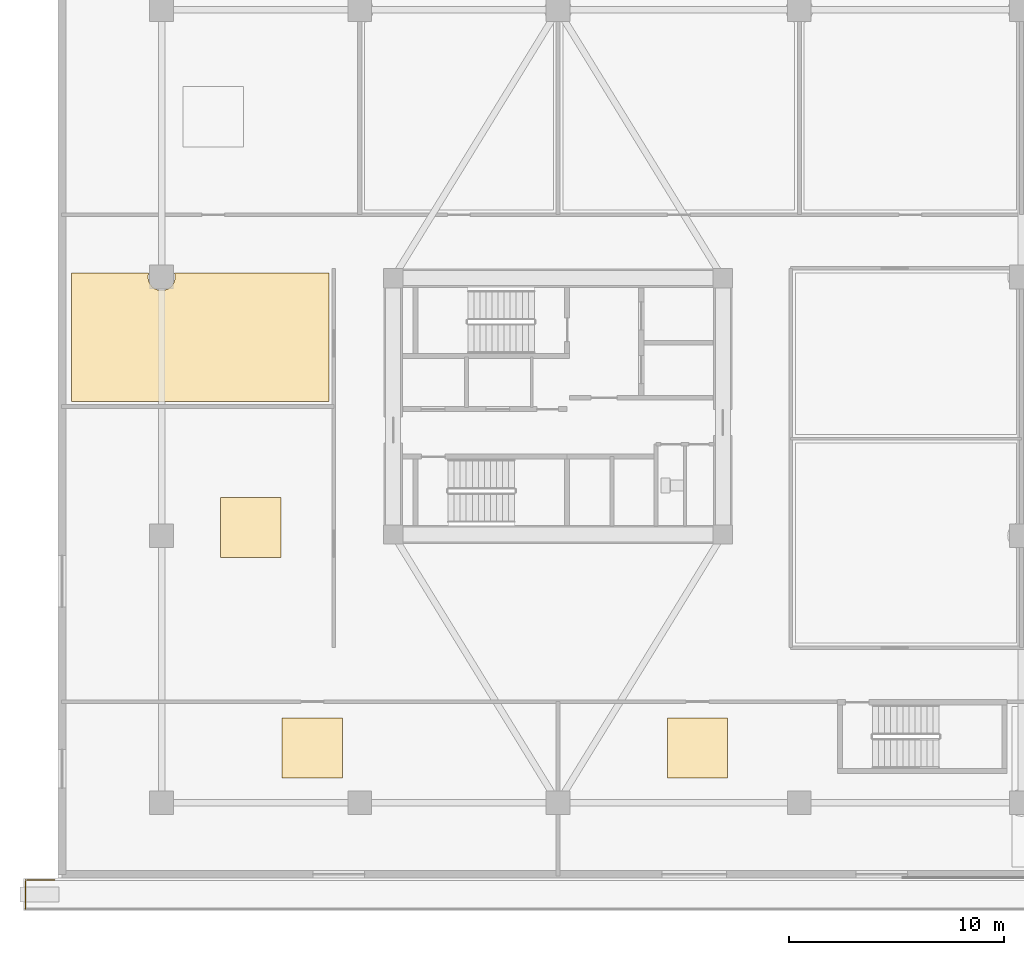
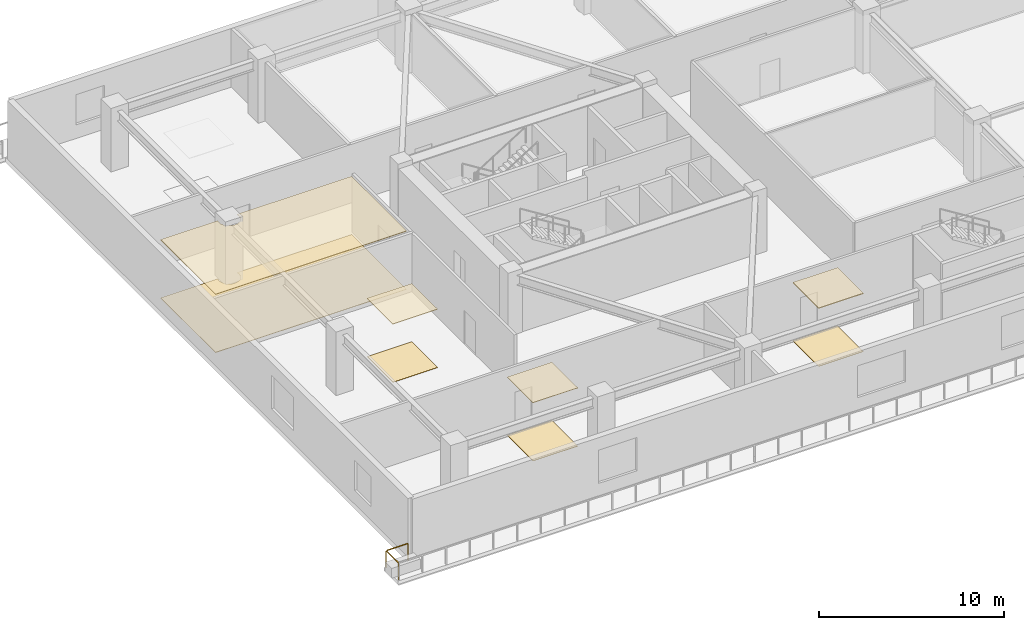
# One storey, part 14 of 23: 8 coverings, 1 railing.
"""IFC4 building model written with IfcOpenShell, lengths in metres."""

from ifc_helpers import new_model, si_unit, direction, frame, origin, origin_2d, place, context, subcontext, project, spatial, polyline, rectangle, outline, extrude, material, layer, layer_set, type_object, element, save


model = new_model("IFC4")

# Units and contexts
model_context = context("Model", 3, precision=1e-05, world=origin(), true_north=direction((0.0, 1.0)))
body_context = subcontext(model_context, "Body", "Model", "MODEL_VIEW")
ifc_project = project(units=[si_unit("LENGTHUNIT", "METRE"), si_unit("AREAUNIT", "SQUARE_METRE"), si_unit("VOLUMEUNIT", "CUBIC_METRE"), si_unit("PLANEANGLEUNIT", "RADIAN"), si_unit("MASSUNIT", "GRAM", prefix="KILO")], contexts=[model_context])

# Site, building, storey
site_placement = place(None, origin())
site = spatial("IfcSite", under=ifc_project, at=site_placement, CompositionType="ELEMENT")
building_placement = place(site_placement, origin())
building = spatial("IfcBuilding", under=site, at=building_placement, Name="Norrkilde Senior Care Towers", CompositionType="ELEMENT")
storey_placement = place(building_placement, frame((0.0, 0.0, 8.39990234375)))
storey = spatial("IfcBuildingStorey", under=building, at=storey_placement, Name="L02", CompositionType="ELEMENT", Elevation=8.39990234375)

# Coverings
ifc_material_1 = material(Name="Nordic Ash Timber", Category="wood")
ifc_layer_1 = layer(ifc_material_1, 0.044921875)
ifc_layer_set_1 = layer_set([ifc_layer_1], Name="Nordic Ash Timber")
covering_type_1 = type_object("IfcCoveringType", Name="Acoustic Ash Timber Slatted Ceiling 45", PredefinedType="CEILING", material=ifc_layer_set_1)
covering_1_placement = place(storey_placement, frame((0.0, 0.0, 3.835205078125)))
element("IfcCovering", 1, at=covering_1_placement, inside=storey, type_object=covering_type_1, Name="L02 Suspended Ceiling 0047", PredefinedType="CEILING", context=body_context, shape_type="SweptSolid", body=[
    extrude(outline(polyline([(-38.6201171875, 0.219970703125), (-50.580078125, 0.219970703125), (-50.580078125, 6.179931640625), (-47.00146484375, 6.179931640625), (-47.008544921875, 6.1630859375), (-47.030029296875, 6.0), (-47.008544921875, 5.8369140625), (-46.945556640625, 5.68505859375), (-46.845458984375, 5.554443359375), (-46.715087890625, 5.454345703125), (-46.56298828125, 5.391357421875), (-46.39990234375, 5.3701171875), (-46.237060546875, 5.391357421875), (-46.0849609375, 5.454345703125), (-45.95458984375, 5.554443359375), (-45.8544921875, 5.68505859375), (-45.79150390625, 5.8369140625), (-45.77001953125, 6.0), (-45.79150390625, 6.1630859375), (-45.798583984375, 6.179931640625), (-38.6201171875, 6.179931640625), (-38.6201171875, 0.219970703125)])), origin(), (0.0, 0.0, 1.0), 0.044921875),
])
covering_2_placement = place(storey_placement, frame((0.0, 0.0, 3.835205078125)))
element("IfcCovering", 2, at=covering_2_placement, inside=storey, type_object=covering_type_1, Name="L02 Suspended Ceiling 0066", PredefinedType="CEILING", context=body_context, shape_type="SweptSolid", body=[
    extrude(outline(polyline([(-22.925048828125, -17.2548828125), (-22.925048828125, -14.455078125), (-20.125, -14.455078125), (-20.125, -17.2548828125), (-22.925048828125, -17.2548828125)])), origin(), (0.0, 0.0, 1.0), 0.044921875),
])

# Railing
ifc_material_2 = material(Name="Anodised Aluminium", Category="aluminium")
railing_type = type_object("IfcRailingType", Name="Balcony Swirl Ribbon Guardrail 1150", PredefinedType="GUARDRAIL", material=ifc_material_2)
railing_placement = place(storey_placement, frame((-52.719970703125, -23.320068359375, 0.0)))
element("IfcRailing", 3, at=railing_placement, inside=storey, type_object=railing_type, Name="L02 Perimeter Safety Guard 01", PredefinedType="GUARDRAIL", context=body_context, shape_type="SweptSolid", body=[
    extrude(rectangle(XDim=0.048095703125, YDim=0.048095703125, at=origin_2d()), frame((0.0, 0.0, 1.1259765625), z_axis=(0.0, 1.0, 0.0), x_axis=(-1.0, 0.0, 0.0)), (0.0, 0.0, 1.0), 1.294189453125),
    extrude(rectangle(XDim=0.048095703125, YDim=0.048095703125, at=origin_2d()), frame((0.040771484375, 1.3349609375, 1.1259765625), z_axis=(1.0, 0.0, 0.0), x_axis=(0.0, 1.0, 0.0)), (0.0, 0.0, 1.0), 1.320556640625),
    extrude(rectangle(XDim=0.0419921875, YDim=0.0419921875, at=origin_2d()), origin(), (0.0, 0.0, 1.0), 1.099853515625),
    extrude(rectangle(XDim=0.0419921875, YDim=0.0419921875, at=origin_2d()), frame((0.0, 1.3349609375, 0.0)), (0.0, 0.0, 1.0), 1.099853515625),
    extrude(rectangle(XDim=0.0419921875, YDim=0.0419921875, at=origin_2d()), frame((1.361328125, 1.3349609375, 0.0)), (0.0, 0.0, 1.0), 1.099853515625),
])

# Coverings
ifc_material_3 = material(Name="Gypsum Acoustic Board")
ifc_layer_2 = layer(ifc_material_3, 0.030029296875)
ifc_layer_set_2 = layer_set([ifc_layer_2], Name="Gypsum Acoustic Board")
covering_type_2 = type_object("IfcCoveringType", Name="Medical Cleanable Gypsum Ceiling 30", PredefinedType="CEILING", material=ifc_layer_set_2)
covering_3_placement = place(storey_placement, frame((0.0, 0.0, 3.85009765625)))
element("IfcCovering", 4, at=covering_3_placement, inside=storey, type_object=covering_type_2, Name="L02 Suspended Ceiling 0046", PredefinedType="CEILING", context=body_context, shape_type="SweptSolid", body=[
    extrude(outline(polyline([(-43.662353515625, -7.019775390625), (-43.662353515625, -4.2197265625), (-40.8623046875, -4.2197265625), (-40.8623046875, -7.019775390625), (-43.662353515625, -7.019775390625)])), origin(), (0.0, 0.0, 1.0), 0.030029296875),
])
covering_4_placement = place(storey_placement, frame((0.0, 0.0, 3.85009765625)))
element("IfcCovering", 5, at=covering_4_placement, inside=storey, type_object=covering_type_2, Name="L02 Suspended Ceiling 0065", PredefinedType="CEILING", context=body_context, shape_type="SweptSolid", body=[
    extrude(outline(polyline([(-40.800048828125, -17.2548828125), (-40.800048828125, -14.455078125), (-38.0, -14.455078125), (-38.0, -17.2548828125), (-40.800048828125, -17.2548828125)])), origin(), (0.0, 0.0, 1.0), 0.030029296875),
])
ifc_material_4 = material(Name="Slip-Resistant Porcelain Stone", Category="masonry")
ifc_layer_3 = layer(ifc_material_4, 0.02490234375)
ifc_layer_set_3 = layer_set([ifc_layer_3], Name="Slip-Resistant Porcelain Stone")
covering_type_3 = type_object("IfcCoveringType", Name="Slip-Resistant Porcelain Flooring 25", PredefinedType="FLOORING", material=ifc_layer_set_3)
covering_5_placement = place(storey_placement, origin())
element("IfcCovering", 6, at=covering_5_placement, inside=storey, type_object=covering_type_3, Name="L02 Floor Finish 0046", PredefinedType="FLOORING", context=body_context, shape_type="SweptSolid", body=[
    extrude(outline(polyline([(-43.662353515625, -7.019775390625), (-43.662353515625, -4.2197265625), (-40.8623046875, -4.2197265625), (-40.8623046875, -7.019775390625), (-43.662353515625, -7.019775390625)])), origin(), (0.0, 0.0, 1.0), 0.025146484375),
])
covering_6_placement = place(storey_placement, origin())
element("IfcCovering", 7, at=covering_6_placement, inside=storey, type_object=covering_type_3, Name="L02 Floor Finish 0047", PredefinedType="FLOORING", context=body_context, shape_type="SweptSolid", body=[
    extrude(outline(polyline([(-38.6201171875, 0.219970703125), (-50.580078125, 0.219970703125), (-50.580078125, 6.179931640625), (-47.00146484375, 6.179931640625), (-47.008544921875, 6.1630859375), (-47.030029296875, 6.0), (-47.008544921875, 5.8369140625), (-46.945556640625, 5.68505859375), (-46.845458984375, 5.554443359375), (-46.715087890625, 5.454345703125), (-46.56298828125, 5.391357421875), (-46.39990234375, 5.3701171875), (-46.237060546875, 5.391357421875), (-46.0849609375, 5.454345703125), (-45.95458984375, 5.554443359375), (-45.8544921875, 5.68505859375), (-45.79150390625, 5.8369140625), (-45.77001953125, 6.0), (-45.79150390625, 6.1630859375), (-45.798583984375, 6.179931640625), (-38.6201171875, 6.179931640625), (-38.6201171875, 0.219970703125)])), origin(), (0.0, 0.0, 1.0), 0.025146484375),
])
covering_7_placement = place(storey_placement, origin())
element("IfcCovering", 8, at=covering_7_placement, inside=storey, type_object=covering_type_3, Name="L02 Floor Finish 0065", PredefinedType="FLOORING", context=body_context, shape_type="SweptSolid", body=[
    extrude(outline(polyline([(-40.800048828125, -17.2548828125), (-40.800048828125, -14.455078125), (-38.0, -14.455078125), (-38.0, -17.2548828125), (-40.800048828125, -17.2548828125)])), origin(), (0.0, 0.0, 1.0), 0.025146484375),
])
covering_8_placement = place(storey_placement, origin())
element("IfcCovering", 9, at=covering_8_placement, inside=storey, type_object=covering_type_3, Name="L02 Floor Finish 0066", PredefinedType="FLOORING", context=body_context, shape_type="SweptSolid", body=[
    extrude(outline(polyline([(-22.925048828125, -17.2548828125), (-22.925048828125, -14.455078125), (-20.125, -14.455078125), (-20.125, -17.2548828125), (-22.925048828125, -17.2548828125)])), origin(), (0.0, 0.0, 1.0), 0.025146484375),
])

save(model, "model.ifc")
